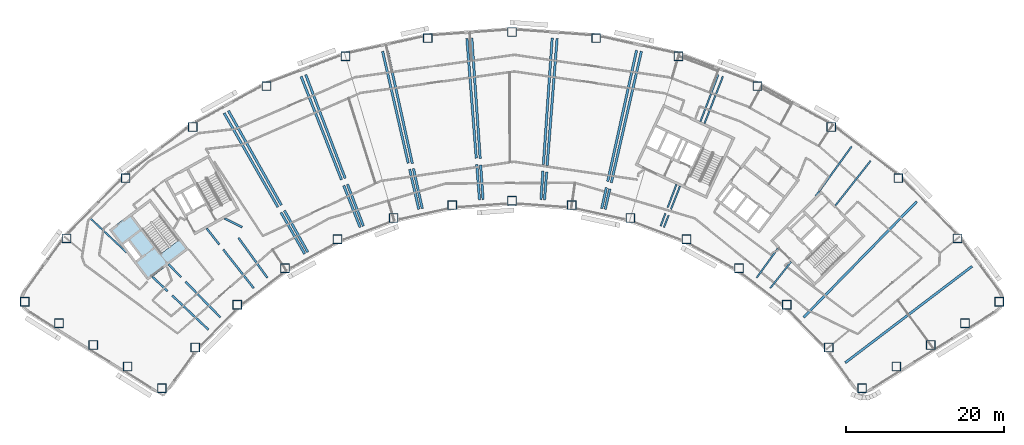
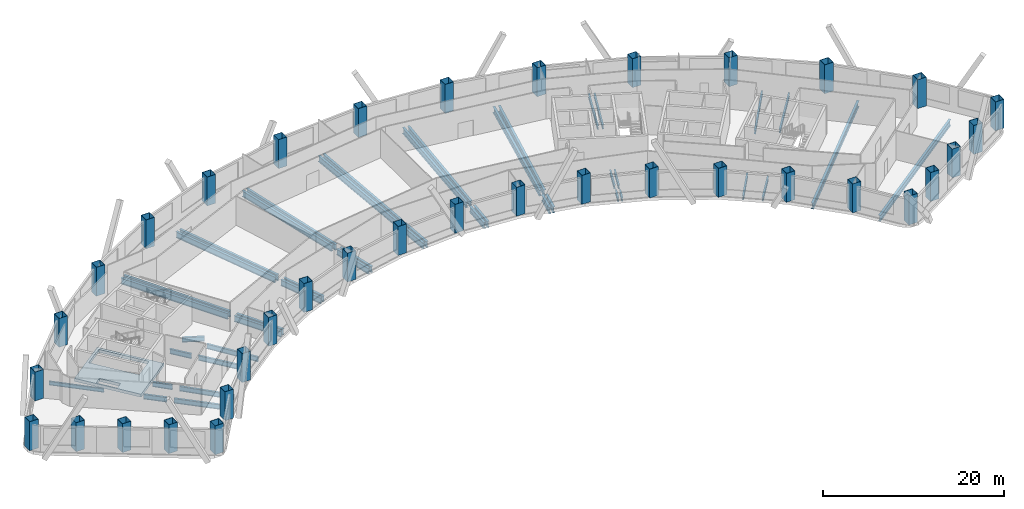
# One storey, part 1 of 11: 45 beams, 36 columns, 1 slab.
"""IFC4 building model written with IfcOpenShell, lengths in metres."""

from ifc_helpers import new_model, si_unit, direction, frame, origin, origin_2d, place, context, subcontext, project, spatial, polyline, hollow_rectangle, i_section, outline, extrude, material, layer, layer_set, material_profile, profile_set, type_object, element, save


model = new_model("IFC4")

# Units and contexts
model_context = context("Model", 3, precision=1e-05, world=origin(), true_north=direction((0.0, 1.0)))
body_context = subcontext(model_context, "Body", "Model", "MODEL_VIEW")
ifc_project = project(units=[si_unit("LENGTHUNIT", "METRE"), si_unit("AREAUNIT", "SQUARE_METRE"), si_unit("VOLUMEUNIT", "CUBIC_METRE"), si_unit("PLANEANGLEUNIT", "RADIAN"), si_unit("MASSUNIT", "GRAM", prefix="KILO")], contexts=[model_context])

# Site, building, storey
site_placement = place(None, origin())
site = spatial("IfcSite", under=ifc_project, at=site_placement, CompositionType="ELEMENT")
building_placement = place(site_placement, origin())
building = spatial("IfcBuilding", under=site, at=building_placement, Name="Tuul Gate Civic Tower", CompositionType="ELEMENT")
storey_placement = place(building_placement, frame((0.0, 0.0, 99.300048828125)))
storey = spatial("IfcBuildingStorey", under=building, at=storey_placement, Name="Level 22", CompositionType="ELEMENT", Elevation=99.300048828125)

# Columns
ifc_material_1 = material(Name="Steel S355", Category="steel")
ifc_material_profile_1 = material_profile(ifc_material_1, hollow_rectangle(XDim=1.10009765625, YDim=1.10009765625, WallThickness=0.035888671875, at=origin_2d()), Name="BOX1100x1100x36")
ifc_profile_set_1 = profile_set([ifc_material_profile_1], Name="Steel S355")
column_type = type_object("IfcColumnType", Name="STR-COLUMN-BOX1100x1100x36", PredefinedType="COLUMN", material=ifc_profile_set_1)
for number, where, z_axis, x_axis, name in (
    (1, (71.5, -20.44189453125, 0.0), (0.0, 0.0, 1.0), (1.0, 0.0, 0.0), "Column"),
    (2, (66.200927734375, -12.428955078125, 0.0), (0.0, 0.0, 1.0), (1.0, 0.0, 0.0), "Column"),
    (3, (58.72607421875, -4.803955078125, 0.0), (0.0, 0.0, 1.0), (1.0, 0.0, 0.0), "Column"),
    (4, (50.23095703125, 1.6640625, 0.0), (0.0, 0.0, 1.0), (1.0, 0.0, 0.0), "Column"),
    (5, (40.89306640625, 6.840087890625, 0.0), (0.0, 0.0, 1.0), (1.0, 0.0, 0.0), "Column"),
    (6, (30.905029296875, 10.616943359375, 0.0), (0.0, 0.0, 1.0), (1.0, 0.0, 0.0), "Column"),
    (7, (20.47802734375, 12.9150390625, 0.0), (0.0, 0.0, 1.0), (1.0, 0.0, 0.0), "Column"),
    (8, (9.8291015625, 13.68603515625, 0.0), (0.0, 0.0, 1.0), (1.0, 0.0, 0.0), "Column"),
    (9, (-0.821044921875, 12.9150390625, 0.0), (0.0, 0.0, 1.0), (1.0, 0.0, 0.0), "Column"),
    (10, (-11.248046875, 10.616943359375, 0.0), (0.0, 0.0, 1.0), (1.0, 0.0, 0.0), "Column"),
    (11, (-21.235107421875, 6.840087890625, 0.0), (0.0, 0.0, 1.0), (1.0, 0.0, 0.0), "Column"),
    (12, (-30.573974609375, 1.6640625, 0.0), (0.0, 0.0, 1.0), (1.0, 0.0, 0.0), "Column"),
    (13, (-39.069091796875, -4.803955078125, 0.0), (0.0, 0.0, 1.0), (1.0, 0.0, 0.0), "Column"),
    (14, (-46.54296875, -12.428955078125, 0.0), (0.0, 0.0, 1.0), (1.0, 0.0, 0.0), "Column"),
    (15, (-51.842041015625, -20.44189453125, 0.0), (0.0, 0.0, 1.0), (1.0, 0.0, 0.0), "Column"),
    (16, (-47.5, -23.176025390625, 0.0), (0.0, 0.0, 1.0), (1.0, 0.0, 0.0), "Column"),
    (17, (-43.156982421875, -25.910888671875, 0.0), (0.0, 0.0, 1.0), (1.0, 0.0, 0.0), "Column"),
    (18, (-38.81494140625, -28.64599609375, 0.0), (0.0, 0.0, 1.0), (1.0, 0.0, 0.0), "Column"),
    (19, (-34.471923828125, -31.3798828125, 0.0), (0.0, 0.0, 1.0), (1.0, 0.0, 0.0), "Column"),
    (20, (-30.251953125, -26.238037109375, 0.0), (0.0, 0.0, 1.0), (1.0, 0.0, 0.0), "Column"),
    (21, (-24.93798828125, -20.81689453125, 0.0), (0.0, 0.0, 1.0), (1.0, 0.0, 0.0), "Column"),
    (22, (-18.89794921875, -16.218017578125, 0.0), (0.0, 0.0, 1.0), (1.0, 0.0, 0.0), "Column"),
    (23, (-12.258056640625, -12.537109375, 0.0), (0.0, 0.0, 1.0), (1.0, 0.0, 0.0), "Column"),
    (24, (-5.156982421875, -9.85205078125, 0.0), (0.0, 0.0, 1.0), (1.0, 0.0, 0.0), "Column"),
    (25, (2.257080078125, -8.218017578125, 0.0), (0.0, 0.0, 1.0), (1.0, 0.0, 0.0), "Column"),
    (26, (9.8291015625, -7.6689453125, 0.0), (0.0, 0.0, 1.0), (1.0, 0.0, 0.0), "Column"),
    (27, (17.40087890625, -8.218017578125, 0.0), (0.0, 0.0, 1.0), (1.0, 0.0, 0.0), "Column"),
    (28, (24.81494140625, -9.85205078125, 0.0), (0.0, 0.0, 1.0), (1.0, 0.0, 0.0), "Column"),
    (29, (31.9150390625, -12.537109375, 0.0), (0.0, 0.0, 1.0), (1.0, 0.0, 0.0), "Column"),
    (30, (38.554931640625, -16.218017578125, 0.0), (0.0, 0.0, 1.0), (1.0, 0.0, 0.0), "Column"),
    (31, (44.595947265625, -20.81689453125, 0.0), (0.0, 0.0, 1.0), (1.0, 0.0, 0.0), "Column"),
    (32, (49.909912109375, -26.238037109375, 0.0), (0.0, 0.0, 1.0), (1.0, 0.0, 0.0), "Column"),
    (33, (54.1298828125, -31.3798828125, 0.0), (0.0, 0.0, 1.0), (1.0, 0.0, 0.0), "Column"),
    (34, (58.471923828125, -28.64599609375, 0.0), (0.0, 0.0, 1.0), (1.0, 0.0, 0.0), "Column"),
    (35, (62.81494140625, -25.910888671875, 0.0), (0.0, 0.0, 1.0), (1.0, 0.0, 0.0), "Column"),
    (36, (67.156982421875, -23.176025390625, 0.0), (0.0, 0.0, 1.0), (1.0, 0.0, 0.0), "Column"),
):
    element("IfcColumn", number, at=place(storey_placement, frame(where, z_axis=z_axis, x_axis=x_axis)), inside=storey, type_object=column_type, Name=name, PredefinedType="COLUMN", context=body_context, shape_type="SweptSolid", body=[
        extrude(hollow_rectangle(XDim=1.10009765625, YDim=1.10009765625, WallThickness=0.035888671875, at=origin_2d()), origin(), (0.0, 0.0, 1.0), 3.89990234375),
    ])

# Beams
ifc_material_2 = material(Name="Steel S355", Category="steel")
ifc_material_profile_2 = material_profile(ifc_material_2, i_section(OverallWidth=0.199951171875, OverallDepth=0.5, WebThickness=0.010009765625, FlangeThickness=0.01611328125, at=origin_2d()), Name="PG500x200x10x16")
ifc_profile_set_2 = profile_set([ifc_material_profile_2], Name="Steel S355")
beam_type_1 = type_object("IfcBeamType", Name="STR-FLOOR BEAM-PG500x200x10x16", PredefinedType="BEAM", material=ifc_profile_set_2)
beam_1_placement = place(storey_placement, frame((42.5126953125, -18.728271484375, -0.650146484375), z_axis=(0.618862547478, 0.785499298109, 0.0), x_axis=(-0.785499298109, 0.618862547478, 0.0)))
element("IfcBeam", 37, at=beam_1_placement, inside=storey, type_object=beam_type_1, Name="Floor beam", PredefinedType="BEAM", context=body_context, shape_type="SweptSolid", body=[
    extrude(i_section(OverallWidth=0.199951171875, OverallDepth=0.5, WebThickness=0.010009765625, FlangeThickness=0.01611328125, at=origin_2d()), origin(), (0.0, 0.0, 1.0), 4.244384765625),
])
beam_2_placement = place(storey_placement, frame((50.755126953125, -8.2666015625, -0.650146484375), z_axis=(0.618859519797, 0.785501683485, 0.0), x_axis=(-0.785501683485, 0.618859519797, 0.0)))
element("IfcBeam", 38, at=beam_2_placement, inside=storey, type_object=beam_type_1, Name="Floor beam", PredefinedType="BEAM", context=body_context, shape_type="SweptSolid", body=[
    extrude(i_section(OverallWidth=0.199951171875, OverallDepth=0.5, WebThickness=0.010009765625, FlangeThickness=0.01611328125, at=origin_2d()), origin(), (0.0, 0.0, 1.0), 7.1845703125),
])
beam_3_placement = place(storey_placement, frame((40.7861328125, -17.413818359375, -0.650146484375), z_axis=(0.586100461646, 0.810238390141, 0.0), x_axis=(-0.810238390141, 0.586100461646, 0.0)))
element("IfcBeam", 39, at=beam_3_placement, inside=storey, type_object=beam_type_1, Name="Floor beam", PredefinedType="BEAM", context=body_context, shape_type="SweptSolid", body=[
    extrude(i_section(OverallWidth=0.199951171875, OverallDepth=0.5, WebThickness=0.010009765625, FlangeThickness=0.01611328125, at=origin_2d()), origin(), (0.0, 0.0, 1.0), 4.587890625),
])
beam_4_placement = place(storey_placement, frame((48.2353515625, -7.11572265625, -0.650146484375), z_axis=(0.58606205295, 0.810266172373, 0.0), x_axis=(-0.810266172373, 0.58606205295, 0.0)))
element("IfcBeam", 40, at=beam_4_placement, inside=storey, type_object=beam_type_1, Name="Floor beam", PredefinedType="BEAM", context=body_context, shape_type="SweptSolid", body=[
    extrude(i_section(OverallWidth=0.199951171875, OverallDepth=0.5, WebThickness=0.010009765625, FlangeThickness=0.01611328125, at=origin_2d()), origin(), (0.0, 0.0, 1.0), 7.796630859375),
])
beam_5_placement = place(storey_placement, frame((29.0537109375, -11.02734375, -0.650146484375), z_axis=(0.364006054814, 0.931396581515, 0.0), x_axis=(-0.931396581515, 0.364006054814, 0.0)))
element("IfcBeam", 41, at=beam_5_placement, inside=storey, type_object=beam_type_1, Name="Floor beam", PredefinedType="BEAM", context=body_context, shape_type="SweptSolid", body=[
    extrude(i_section(OverallWidth=0.199951171875, OverallDepth=0.5, WebThickness=0.010009765625, FlangeThickness=0.01611328125, at=origin_2d()), origin(), (0.0, 0.0, 1.0), 1.638427734375),
])
beam_6_placement = place(storey_placement, frame((29.944091796875, -8.74951171875, -0.650146484375), z_axis=(0.364022679244, 0.931390084227, 0.0), x_axis=(-0.931390084227, 0.364022679244, 0.0)))
element("IfcBeam", 42, at=beam_6_placement, inside=storey, type_object=beam_type_1, Name="Floor beam", PredefinedType="BEAM", context=body_context, shape_type="SweptSolid", body=[
    extrude(i_section(OverallWidth=0.199951171875, OverallDepth=0.5, WebThickness=0.010009765625, FlangeThickness=0.01611328125, at=origin_2d()), origin(), (0.0, 0.0, 1.0), 3.15283203125),
])
beam_7_placement = place(storey_placement, frame((34.192626953125, 2.119873046875, -0.650146484375), z_axis=(0.364028823052, 0.931387682969, 0.0), x_axis=(-0.931387682969, 0.364028823052, 0.0)))
element("IfcBeam", 43, at=beam_7_placement, inside=storey, type_object=beam_type_1, Name="Floor beam", PredefinedType="BEAM", context=body_context, shape_type="SweptSolid", body=[
    extrude(i_section(OverallWidth=0.199951171875, OverallDepth=0.5, WebThickness=0.010009765625, FlangeThickness=0.01611328125, at=origin_2d()), origin(), (0.0, 0.0, 1.0), 6.385498046875),
])
beam_8_placement = place(storey_placement, frame((28.634033203125, -10.86865234375, -0.650146484375), z_axis=(0.356090552277, 0.934451453302, 0.0), x_axis=(-0.934451453302, 0.356090552277, 0.0)))
element("IfcBeam", 44, at=beam_8_placement, inside=storey, type_object=beam_type_1, Name="Floor beam", PredefinedType="BEAM", context=body_context, shape_type="SweptSolid", body=[
    extrude(i_section(OverallWidth=0.199951171875, OverallDepth=0.5, WebThickness=0.010009765625, FlangeThickness=0.01611328125, at=origin_2d()), origin(), (0.0, 0.0, 1.0), 1.705810546875),
])
beam_9_placement = place(storey_placement, frame((29.529296875, -8.51953125, -0.650146484375), z_axis=(0.35611566826, 0.934441881991, 0.0), x_axis=(-0.934441881991, 0.35611566826, 0.0)))
element("IfcBeam", 45, at=beam_9_placement, inside=storey, type_object=beam_type_1, Name="Floor beam", PredefinedType="BEAM", context=body_context, shape_type="SweptSolid", body=[
    extrude(i_section(OverallWidth=0.199951171875, OverallDepth=0.5, WebThickness=0.010009765625, FlangeThickness=0.01611328125, at=origin_2d()), origin(), (0.0, 0.0, 1.0), 3.121337890625),
])
beam_10_placement = place(storey_placement, frame((33.67578125, 2.36083984375, -0.650146484375), z_axis=(0.356142589694, 0.934431621793, 0.0), x_axis=(-0.934431621793, 0.356142589694, 0.0)))
element("IfcBeam", 46, at=beam_10_placement, inside=storey, type_object=beam_type_1, Name="Floor beam", PredefinedType="BEAM", context=body_context, shape_type="SweptSolid", body=[
    extrude(i_section(OverallWidth=0.199951171875, OverallDepth=0.5, WebThickness=0.010009765625, FlangeThickness=0.01611328125, at=origin_2d()), origin(), (0.0, 0.0, 1.0), 6.34228515625),
])
beam_11_placement = place(storey_placement, frame((-38.95947265625, -14.197021484375, -0.650146484375), z_axis=(-0.727492537169, 0.686115594024, 0.0), x_axis=(-0.686115594024, -0.727492537169, 0.0)))
element("IfcBeam", 47, at=beam_11_placement, inside=storey, type_object=beam_type_1, Name="Floor beam", PredefinedType="BEAM", context=body_context, shape_type="SweptSolid", body=[
    extrude(i_section(OverallWidth=0.199951171875, OverallDepth=0.5, WebThickness=0.010009765625, FlangeThickness=0.01611328125, at=origin_2d()), origin(), (0.0, 0.0, 1.0), 6.25439453125),
])
ifc_material_3 = material(Name="Steel S355", Category="steel")
ifc_material_profile_3 = material_profile(ifc_material_3, i_section(OverallWidth=0.25, OverallDepth=0.64990234375, WebThickness=0.011962890625, FlangeThickness=0.02001953125, at=origin_2d()), Name="PG650x250x12x20")
ifc_profile_set_3 = profile_set([ifc_material_profile_3], Name="Steel S355")
beam_type_2 = type_object("IfcBeamType", Name="STR-FLOOR BEAM-PG650x250x12x20", PredefinedType="BEAM", material=ifc_profile_set_3)
beam_12_placement = place(storey_placement, frame((-21.128662109375, -17.41357421875, -0.72509765625), z_axis=(-0.586070585188, 0.810260000973, 0.0), x_axis=(-0.810260000973, -0.586070585188, 0.0)))
element("IfcBeam", 48, at=beam_12_placement, inside=storey, type_object=beam_type_2, Name="Floor beam", PredefinedType="BEAM", context=body_context, shape_type="SweptSolid", body=[
    extrude(i_section(OverallWidth=0.25, OverallDepth=0.64990234375, WebThickness=0.011962890625, FlangeThickness=0.02001953125, at=origin_2d()), origin(), (0.0, 0.0, 1.0), 6.23779296875),
])
beam_13_placement = place(storey_placement, frame((-24.3193359375, -11.0, -0.72509765625), z_axis=(-0.898913593775, 0.438125953268, 0.0), x_axis=(-0.438125953268, -0.898913593775, 0.0)))
element("IfcBeam", 49, at=beam_13_placement, inside=storey, type_object=beam_type_2, Name="Floor beam", PredefinedType="BEAM", context=body_context, shape_type="SweptSolid", body=[
    extrude(i_section(OverallWidth=0.25, OverallDepth=0.64990234375, WebThickness=0.011962890625, FlangeThickness=0.02001953125, at=origin_2d()), origin(), (0.0, 0.0, 1.0), 2.488525390625),
])
beam_14_placement = place(storey_placement, frame((-22.85498046875, -18.728271484375, -0.72509765625), z_axis=(-0.618839291245, 0.785517620179, 0.0), x_axis=(-0.785517620179, -0.618839291245, 0.0)))
element("IfcBeam", 50, at=beam_14_placement, inside=storey, type_object=beam_type_2, Name="Floor beam", PredefinedType="BEAM", context=body_context, shape_type="SweptSolid", body=[
    extrude(i_section(OverallWidth=0.25, OverallDepth=0.64990234375, WebThickness=0.011962890625, FlangeThickness=0.02001953125, at=origin_2d()), origin(), (0.0, 0.0, 1.0), 6.23681640625),
])
beam_15_placement = place(storey_placement, frame((-27.2099609375, -13.20068359375, -0.72509765625), z_axis=(-0.618826493827, 0.785527701954, 0.0), x_axis=(-0.785527701954, -0.618826493827, 0.0)))
element("IfcBeam", 51, at=beam_15_placement, inside=storey, type_object=beam_type_2, Name="Floor beam", PredefinedType="BEAM", context=body_context, shape_type="SweptSolid", body=[
    extrude(i_section(OverallWidth=0.25, OverallDepth=0.64990234375, WebThickness=0.011962890625, FlangeThickness=0.02001953125, at=origin_2d()), origin(), (0.0, 0.0, 1.0), 2.59521484375),
])
beam_16_placement = place(storey_placement, frame((-27.07421875, -22.4248046875, -0.72509765625), z_axis=(-0.698688337525, 0.715426171597, 0.0), x_axis=(-0.715426171597, -0.698688337525, 0.0)))
element("IfcBeam", 52, at=beam_16_placement, inside=storey, type_object=beam_type_2, Name="Floor beam", PredefinedType="BEAM", context=body_context, shape_type="SweptSolid", body=[
    extrude(i_section(OverallWidth=0.25, OverallDepth=0.64990234375, WebThickness=0.011962890625, FlangeThickness=0.02001953125, at=origin_2d()), origin(), (0.0, 0.0, 1.0), 6.30126953125),
])
beam_17_placement = place(storey_placement, frame((-32.035888671875, -17.34423828125, -0.72509765625), z_axis=(-0.698646435768, 0.71546709064, 0.0), x_axis=(-0.71546709064, -0.698646435768, 0.0)))
element("IfcBeam", 53, at=beam_17_placement, inside=storey, type_object=beam_type_2, Name="Floor beam", PredefinedType="BEAM", context=body_context, shape_type="SweptSolid", body=[
    extrude(i_section(OverallWidth=0.25, OverallDepth=0.64990234375, WebThickness=0.011962890625, FlangeThickness=0.02001953125, at=origin_2d()), origin(), (0.0, 0.0, 1.0), 2.27880859375),
])
beam_18_placement = place(storey_placement, frame((-28.593017578125, -23.974365234375, -0.72509765625), z_axis=(-0.727476118874, 0.686133002025, 0.0), x_axis=(-0.686133002025, -0.727476118874, 0.0)))
element("IfcBeam", 54, at=beam_18_placement, inside=storey, type_object=beam_type_2, Name="Floor beam", PredefinedType="BEAM", context=body_context, shape_type="SweptSolid", body=[
    extrude(i_section(OverallWidth=0.25, OverallDepth=0.64990234375, WebThickness=0.011962890625, FlangeThickness=0.02001953125, at=origin_2d()), origin(), (0.0, 0.0, 1.0), 6.30078125),
])
beam_19_placement = place(storey_placement, frame((-33.759033203125, -19.10205078125, -0.72509765625), z_axis=(-0.727472547929, 0.686136788119, 0.0), x_axis=(-0.686136788119, -0.727472547929, 0.0)))
element("IfcBeam", 55, at=beam_19_placement, inside=storey, type_object=beam_type_2, Name="Floor beam", PredefinedType="BEAM", context=body_context, shape_type="SweptSolid", body=[
    extrude(i_section(OverallWidth=0.25, OverallDepth=0.64990234375, WebThickness=0.011962890625, FlangeThickness=0.02001953125, at=origin_2d()), origin(), (0.0, 0.0, 1.0), 2.65185546875),
])
ifc_material_4 = material(Name="Steel S355", Category="steel")
ifc_material_profile_4 = material_profile(ifc_material_4, i_section(OverallWidth=0.300048828125, OverallDepth=0.800048828125, WebThickness=0.013916015625, FlangeThickness=0.02490234375, at=origin_2d()), Name="PG800x300x14x25")
ifc_profile_set_4 = profile_set([ifc_material_profile_4], Name="Steel S355")
beam_type_3 = type_object("IfcBeamType", Name="STR-FLOOR BEAM-PG800x300x14x25", PredefinedType="BEAM", material=ifc_profile_set_4)
beam_20_placement = place(storey_placement, frame((52.003173828125, -28.158203125, -0.800048828125), z_axis=(0.796146093711, 0.605104451701, 0.0), x_axis=(-0.605104451701, 0.796146093711, 0.0)))
element("IfcBeam", 56, at=beam_20_placement, inside=storey, type_object=beam_type_3, Name="Floor beam", PredefinedType="BEAM", context=body_context, shape_type="SweptSolid", body=[
    extrude(i_section(OverallWidth=0.300048828125, OverallDepth=0.800048828125, WebThickness=0.013916015625, FlangeThickness=0.02490234375, at=origin_2d()), origin(), (0.0, 0.0, 1.0), 20.162109375),
])
beam_21_placement = place(storey_placement, frame((46.73193359375, -22.424560546875, -0.800048828125), z_axis=(0.698693043499, 0.715421575692, 0.0), x_axis=(-0.715421575692, 0.698693043499, 0.0)))
element("IfcBeam", 57, at=beam_21_placement, inside=storey, type_object=beam_type_3, Name="Floor beam", PredefinedType="BEAM", context=body_context, shape_type="SweptSolid", body=[
    extrude(i_section(OverallWidth=0.300048828125, OverallDepth=0.800048828125, WebThickness=0.013916015625, FlangeThickness=0.02490234375, at=origin_2d()), origin(), (0.0, 0.0, 1.0), 20.5048828125),
])
beam_22_placement = place(storey_placement, frame((21.624267578125, -8.7392578125, -0.800048828125), z_axis=(0.223328426179, 0.974743255458, 0.0), x_axis=(-0.974743255458, 0.223328426179, 0.0)))
element("IfcBeam", 58, at=beam_22_placement, inside=storey, type_object=beam_type_3, Name="Floor beam", PredefinedType="BEAM", context=body_context, shape_type="SweptSolid", body=[
    extrude(i_section(OverallWidth=0.300048828125, OverallDepth=0.800048828125, WebThickness=0.013916015625, FlangeThickness=0.02490234375, at=origin_2d()), origin(), (0.0, 0.0, 1.0), 2.63232421875),
])
beam_23_placement = place(storey_placement, frame((22.392578125, -5.38623046875, -0.800048828125), z_axis=(0.223363693395, 0.974735174534, 0.0), x_axis=(-0.974735174534, 0.223363693395, 0.0)))
element("IfcBeam", 59, at=beam_23_placement, inside=storey, type_object=beam_type_3, Name="Floor beam", PredefinedType="BEAM", context=body_context, shape_type="SweptSolid", body=[
    extrude(i_section(OverallWidth=0.300048828125, OverallDepth=0.800048828125, WebThickness=0.013916015625, FlangeThickness=0.02490234375, at=origin_2d()), origin(), (0.0, 0.0, 1.0), 17.06103515625),
])
beam_24_placement = place(storey_placement, frame((21.18603515625, -8.642578125, -0.800048828125), z_axis=(0.21504456489, 0.976604236685, 0.0), x_axis=(-0.976604236685, 0.21504456489, 0.0)))
element("IfcBeam", 60, at=beam_24_placement, inside=storey, type_object=beam_type_3, Name="Floor beam", PredefinedType="BEAM", context=body_context, shape_type="SweptSolid", body=[
    extrude(i_section(OverallWidth=0.300048828125, OverallDepth=0.800048828125, WebThickness=0.013916015625, FlangeThickness=0.02490234375, at=origin_2d()), origin(), (0.0, 0.0, 1.0), 2.700927734375),
])
beam_25_placement = place(storey_placement, frame((21.940673828125, -5.21533203125, -0.800048828125), z_axis=(0.21507695788, 0.976597103308, 0.0), x_axis=(-0.976597103308, 0.21507695788, 0.0)))
element("IfcBeam", 61, at=beam_25_placement, inside=storey, type_object=beam_type_3, Name="Floor beam", PredefinedType="BEAM", context=body_context, shape_type="SweptSolid", body=[
    extrude(i_section(OverallWidth=0.300048828125, OverallDepth=0.800048828125, WebThickness=0.013916015625, FlangeThickness=0.02490234375, at=origin_2d()), origin(), (0.0, 0.0, 1.0), 16.99072265625),
])
beam_26_placement = place(storey_placement, frame((13.939453125, -7.56591796875, -0.800048828125), z_axis=(0.077806826289, 0.996968453755, 0.0), x_axis=(-0.996968453755, 0.077806826289, 0.0)))
element("IfcBeam", 62, at=beam_26_placement, inside=storey, type_object=beam_type_3, Name="Floor beam", PredefinedType="BEAM", context=body_context, shape_type="SweptSolid", body=[
    extrude(i_section(OverallWidth=0.300048828125, OverallDepth=0.800048828125, WebThickness=0.013916015625, FlangeThickness=0.02490234375, at=origin_2d()), origin(), (0.0, 0.0, 1.0), 3.564453125),
])
beam_27_placement = place(storey_placement, frame((14.27978515625, -3.206787109375, -0.800048828125), z_axis=(0.07784017739, 0.99696585036, 0.0), x_axis=(-0.99696585036, 0.07784017739, 0.0)))
element("IfcBeam", 63, at=beam_27_placement, inside=storey, type_object=beam_type_3, Name="Floor beam", PredefinedType="BEAM", context=body_context, shape_type="SweptSolid", body=[
    extrude(i_section(OverallWidth=0.300048828125, OverallDepth=0.800048828125, WebThickness=0.013916015625, FlangeThickness=0.02490234375, at=origin_2d()), origin(), (0.0, 0.0, 1.0), 16.12744140625),
])
beam_28_placement = place(storey_placement, frame((13.491943359375, -7.533447265625, -0.800048828125), z_axis=(0.069327740313, 0.997593937644, 0.0), x_axis=(-0.997593937644, 0.069327740313, 0.0)))
element("IfcBeam", 64, at=beam_28_placement, inside=storey, type_object=beam_type_3, Name="Floor beam", PredefinedType="BEAM", context=body_context, shape_type="SweptSolid", body=[
    extrude(i_section(OverallWidth=0.300048828125, OverallDepth=0.800048828125, WebThickness=0.013916015625, FlangeThickness=0.02490234375, at=origin_2d()), origin(), (0.0, 0.0, 1.0), 3.63427734375),
])
beam_29_placement = place(storey_placement, frame((13.800048828125, -3.101318359375, -0.800048828125), z_axis=(0.069364606804, 0.997591374924, 0.0), x_axis=(-0.997591374924, 0.069364606804, 0.0)))
element("IfcBeam", 65, at=beam_29_placement, inside=storey, type_object=beam_type_3, Name="Floor beam", PredefinedType="BEAM", context=body_context, shape_type="SweptSolid", body=[
    extrude(i_section(OverallWidth=0.300048828125, OverallDepth=0.800048828125, WebThickness=0.013916015625, FlangeThickness=0.02490234375, at=origin_2d()), origin(), (0.0, 0.0, 1.0), 16.056640625),
])
beam_30_placement = place(storey_placement, frame((6.165771484375, -7.533447265625, -0.800048828125), z_axis=(-0.069353983077, 0.997592113557, 0.0), x_axis=(-0.997592113557, -0.069353983077, 0.0)))
element("IfcBeam", 66, at=beam_30_placement, inside=storey, type_object=beam_type_3, Name="Floor beam", PredefinedType="BEAM", context=body_context, shape_type="SweptSolid", body=[
    extrude(i_section(OverallWidth=0.300048828125, OverallDepth=0.800048828125, WebThickness=0.013916015625, FlangeThickness=0.02490234375, at=origin_2d()), origin(), (0.0, 0.0, 1.0), 4.41796875),
])
beam_31_placement = place(storey_placement, frame((5.803466796875, -2.320068359375, -0.800048828125), z_axis=(-0.069372603013, 0.997590818899, 0.0), x_axis=(-0.997590818899, -0.069372603013, 0.0)))
element("IfcBeam", 67, at=beam_31_placement, inside=storey, type_object=beam_type_3, Name="Floor beam", PredefinedType="BEAM", context=body_context, shape_type="SweptSolid", body=[
    extrude(i_section(OverallWidth=0.300048828125, OverallDepth=0.800048828125, WebThickness=0.013916015625, FlangeThickness=0.02490234375, at=origin_2d()), origin(), (0.0, 0.0, 1.0), 15.273681640625),
])
beam_32_placement = place(storey_placement, frame((5.71826171875, -7.56591796875, -0.800048828125), z_axis=(-0.077831917874, 0.996966495204, 0.0), x_axis=(-0.996966495204, -0.077831917874, 0.0)))
element("IfcBeam", 68, at=beam_32_placement, inside=storey, type_object=beam_type_3, Name="Floor beam", PredefinedType="BEAM", context=body_context, shape_type="SweptSolid", body=[
    extrude(i_section(OverallWidth=0.300048828125, OverallDepth=0.800048828125, WebThickness=0.013916015625, FlangeThickness=0.02490234375, at=origin_2d()), origin(), (0.0, 0.0, 1.0), 4.48876953125),
])
beam_33_placement = place(storey_placement, frame((5.305908203125, -2.283935546875, -0.800048828125), z_axis=(-0.077842273966, 0.996965686663, 0.0), x_axis=(-0.996965686663, -0.077842273966, 0.0)))
element("IfcBeam", 69, at=beam_33_placement, inside=storey, type_object=beam_type_3, Name="Floor beam", PredefinedType="BEAM", context=body_context, shape_type="SweptSolid", body=[
    extrude(i_section(OverallWidth=0.300048828125, OverallDepth=0.800048828125, WebThickness=0.013916015625, FlangeThickness=0.02490234375, at=origin_2d()), origin(), (0.0, 0.0, 1.0), 15.201904296875),
])
beam_34_placement = place(storey_placement, frame((-1.528076171875, -8.642578125, -0.800048828125), z_axis=(-0.215091334383, 0.976593937045, 0.0), x_axis=(-0.976593937045, -0.215091334383, 0.0)))
element("IfcBeam", 70, at=beam_34_placement, inside=storey, type_object=beam_type_3, Name="Floor beam", PredefinedType="BEAM", context=body_context, shape_type="SweptSolid", body=[
    extrude(i_section(OverallWidth=0.300048828125, OverallDepth=0.800048828125, WebThickness=0.013916015625, FlangeThickness=0.02490234375, at=origin_2d()), origin(), (0.0, 0.0, 1.0), 5.173583984375),
])
beam_35_placement = place(storey_placement, frame((-2.781982421875, -2.94921875, -0.800048828125), z_axis=(-0.215076385266, 0.976597229415, 0.0), x_axis=(-0.976597229415, -0.215076385266, 0.0)))
element("IfcBeam", 71, at=beam_35_placement, inside=storey, type_object=beam_type_3, Name="Floor beam", PredefinedType="BEAM", context=body_context, shape_type="SweptSolid", body=[
    extrude(i_section(OverallWidth=0.300048828125, OverallDepth=0.800048828125, WebThickness=0.013916015625, FlangeThickness=0.02490234375, at=origin_2d()), origin(), (0.0, 0.0, 1.0), 14.67041015625),
])
beam_36_placement = place(storey_placement, frame((-1.96630859375, -8.7392578125, -0.800048828125), z_axis=(-0.223404126002, 0.974725908389, 0.0), x_axis=(-0.974725908389, -0.223404126002, 0.0)))
element("IfcBeam", 72, at=beam_36_placement, inside=storey, type_object=beam_type_3, Name="Floor beam", PredefinedType="BEAM", context=body_context, shape_type="SweptSolid", body=[
    extrude(i_section(OverallWidth=0.300048828125, OverallDepth=0.800048828125, WebThickness=0.013916015625, FlangeThickness=0.02490234375, at=origin_2d()), origin(), (0.0, 0.0, 1.0), 5.183349609375),
])
beam_37_placement = place(storey_placement, frame((-3.302734375, -2.9072265625, -0.800048828125), z_axis=(-0.223376822064, 0.974732165964, 0.0), x_axis=(-0.974732165964, -0.223376822064, 0.0)))
element("IfcBeam", 73, at=beam_37_placement, inside=storey, type_object=beam_type_3, Name="Floor beam", PredefinedType="BEAM", context=body_context, shape_type="SweptSolid", body=[
    extrude(i_section(OverallWidth=0.300048828125, OverallDepth=0.800048828125, WebThickness=0.013916015625, FlangeThickness=0.02490234375, at=origin_2d()), origin(), (0.0, 0.0, 1.0), 14.517822265625),
])
beam_38_placement = place(storey_placement, frame((-8.976318359375, -10.868408203125, -0.800048828125), z_axis=(-0.356118836418, 0.934440674601, 0.0), x_axis=(-0.934440674601, -0.356118836418, 0.0)))
element("IfcBeam", 74, at=beam_38_placement, inside=storey, type_object=beam_type_3, Name="Floor beam", PredefinedType="BEAM", context=body_context, shape_type="SweptSolid", body=[
    extrude(i_section(OverallWidth=0.300048828125, OverallDepth=0.800048828125, WebThickness=0.013916015625, FlangeThickness=0.02490234375, at=origin_2d()), origin(), (0.0, 0.0, 1.0), 5.671630859375),
])
beam_39_placement = place(storey_placement, frame((-11.281005859375, -4.821044921875, -0.800048828125), z_axis=(-0.356109670852, 0.934444167581, 0.0), x_axis=(-0.934444167581, -0.356109670852, 0.0)))
element("IfcBeam", 75, at=beam_39_placement, inside=storey, type_object=beam_type_3, Name="Floor beam", PredefinedType="BEAM", context=body_context, shape_type="SweptSolid", body=[
    extrude(i_section(OverallWidth=0.300048828125, OverallDepth=0.800048828125, WebThickness=0.013916015625, FlangeThickness=0.02490234375, at=origin_2d()), origin(), (0.0, 0.0, 1.0), 14.0283203125),
])
beam_40_placement = place(storey_placement, frame((-9.39599609375, -11.027099609375, -0.800048828125), z_axis=(-0.364061750857, 0.931374812609, 0.0), x_axis=(-0.931374812609, -0.364061750857, 0.0)))
element("IfcBeam", 76, at=beam_40_placement, inside=storey, type_object=beam_type_3, Name="Floor beam", PredefinedType="BEAM", context=body_context, shape_type="SweptSolid", body=[
    extrude(i_section(OverallWidth=0.300048828125, OverallDepth=0.800048828125, WebThickness=0.013916015625, FlangeThickness=0.02490234375, at=origin_2d()), origin(), (0.0, 0.0, 1.0), 5.671875),
])
beam_41_placement = place(storey_placement, frame((-11.752197265625, -4.999267578125, -0.800048828125), z_axis=(-0.364043026992, 0.931382131297, 0.0), x_axis=(-0.931382131297, -0.364043026992, 0.0)))
element("IfcBeam", 77, at=beam_41_placement, inside=storey, type_object=beam_type_3, Name="Floor beam", PredefinedType="BEAM", context=body_context, shape_type="SweptSolid", body=[
    extrude(i_section(OverallWidth=0.300048828125, OverallDepth=0.800048828125, WebThickness=0.013916015625, FlangeThickness=0.02490234375, at=origin_2d()), origin(), (0.0, 0.0, 1.0), 14.029052734375),
])
beam_42_placement = place(storey_placement, frame((-16.01708984375, -14.16357421875, -0.800048828125), z_axis=(-0.489429886093, 0.872042651823, 0.0), x_axis=(-0.872042651823, -0.489429886093, 0.0)))
element("IfcBeam", 78, at=beam_42_placement, inside=storey, type_object=beam_type_3, Name="Floor beam", PredefinedType="BEAM", context=body_context, shape_type="SweptSolid", body=[
    extrude(i_section(OverallWidth=0.300048828125, OverallDepth=0.800048828125, WebThickness=0.013916015625, FlangeThickness=0.02490234375, at=origin_2d()), origin(), (0.0, 0.0, 1.0), 6.02490234375),
])
beam_43_placement = place(storey_placement, frame((-19.357421875, -8.212158203125, -0.800048828125), z_axis=(-0.48943378219, 0.872040465145, 0.0), x_axis=(-0.872040465145, -0.48943378219, 0.0)))
element("IfcBeam", 79, at=beam_43_placement, inside=storey, type_object=beam_type_3, Name="Floor beam", PredefinedType="BEAM", context=body_context, shape_type="SweptSolid", body=[
    extrude(i_section(OverallWidth=0.300048828125, OverallDepth=0.800048828125, WebThickness=0.013916015625, FlangeThickness=0.02490234375, at=origin_2d()), origin(), (0.0, 0.0, 1.0), 13.67578125),
])
beam_44_placement = place(storey_placement, frame((-16.409423828125, -14.381103515625, -0.800048828125), z_axis=(-0.496845677041, 0.86783890971, 0.0), x_axis=(-0.86783890971, -0.496845677041, 0.0)))
element("IfcBeam", 80, at=beam_44_placement, inside=storey, type_object=beam_type_3, Name="Floor beam", PredefinedType="BEAM", context=body_context, shape_type="SweptSolid", body=[
    extrude(i_section(OverallWidth=0.300048828125, OverallDepth=0.800048828125, WebThickness=0.013916015625, FlangeThickness=0.02490234375, at=origin_2d()), origin(), (0.0, 0.0, 1.0), 6.025390625),
])
beam_45_placement = place(storey_placement, frame((-19.800537109375, -8.457763671875, -0.800048828125), z_axis=(-0.496836600456, 0.867844106074, 0.0), x_axis=(-0.867844106074, -0.496836600456, 0.0)))
element("IfcBeam", 81, at=beam_45_placement, inside=storey, type_object=beam_type_3, Name="Floor beam", PredefinedType="BEAM", context=body_context, shape_type="SweptSolid", body=[
    extrude(i_section(OverallWidth=0.300048828125, OverallDepth=0.800048828125, WebThickness=0.013916015625, FlangeThickness=0.02490234375, at=origin_2d()), origin(), (0.0, 0.0, 1.0), 13.6767578125),
])

# Slab
ifc_material_5 = material(Name="Concrete C40/50", Category="concrete")
ifc_layer = layer(ifc_material_5, 0.39990234375)
ifc_layer_set = layer_set([ifc_layer], Name="Concrete C40/50")
slab_type = type_object("IfcSlabType", Name="Core floor slab 400", PredefinedType="FLOOR", material=ifc_layer_set)
slab_placement = place(storey_placement, frame((0.0, 0.0, -0.400146484375)))
element("IfcSlab", 82, at=slab_placement, inside=storey, type_object=slab_type, Name="FLOOR SLAB", PredefinedType="FLOOR", context=body_context, shape_type="SweptSolid", body=[
    extrude(outline(polyline([(-31.10009765625, -13.7890625), (-35.946044921875, -7.423828125), (-41.11767578125, -11.361572265625), (-36.271484375, -17.726806640625), (-31.10009765625, -13.7890625)]), holes=[polyline([(-37.19287109375, -14.783203125), (-38.737548828125, -12.75439453125), (-39.45361328125, -13.299560546875), (-37.908935546875, -15.328369140625), (-37.19287109375, -14.783203125)]), polyline([(-32.33935546875, -12.65771484375), (-34.56591796875, -14.352783203125), (-38.229736328125, -9.54052734375), (-36.003173828125, -7.845458984375), (-32.33935546875, -12.65771484375)])]), origin(), (0.0, 0.0, 1.0), 0.400146484375),
])

save(model, "model.ifc")
